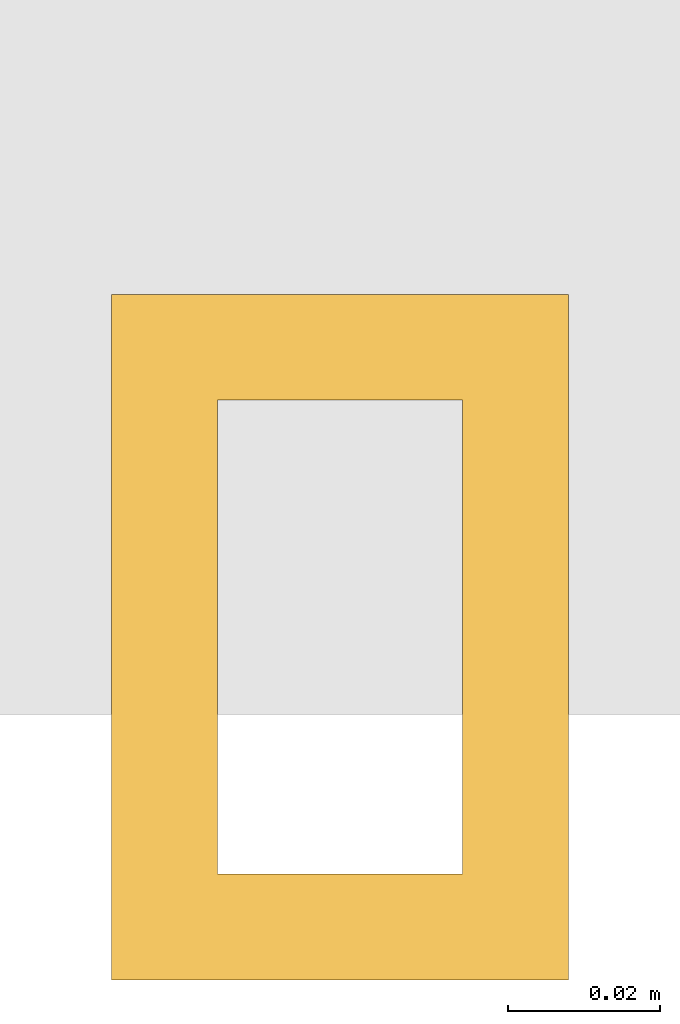
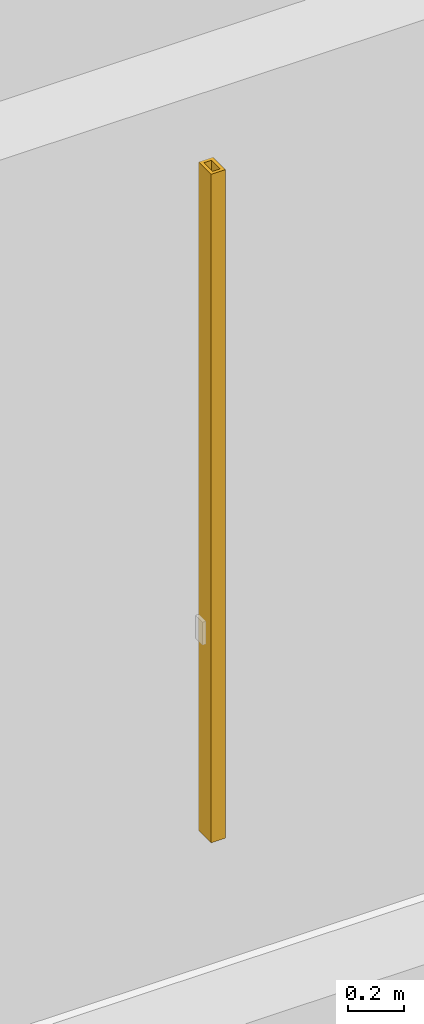
# One storey, part 18 of 32: 1 shading device.
"""IFC4 building model written with IfcOpenShell, lengths in metres."""

from ifc_helpers import new_model, si_unit, direction, frame, origin, origin_2d, place, context, subcontext, project, spatial, hollow_rectangle, extrude, material, material_profile, profile_set, type_object, element, save


model = new_model("IFC4")

# Units and contexts
model_context = context("Model", 3, precision=1e-05, world=origin(), true_north=direction((0.0, 1.0)))
body_context = subcontext(model_context, "Body", "Model", "MODEL_VIEW")
ifc_project = project(units=[si_unit("LENGTHUNIT", "METRE"), si_unit("AREAUNIT", "SQUARE_METRE"), si_unit("VOLUMEUNIT", "CUBIC_METRE"), si_unit("PLANEANGLEUNIT", "RADIAN"), si_unit("MASSUNIT", "GRAM", prefix="KILO")], contexts=[model_context])

# Site, building, storey
site_placement = place(None, origin())
site = spatial("IfcSite", under=ifc_project, at=site_placement, CompositionType="ELEMENT")
building_placement = place(site_placement, origin())
building = spatial("IfcBuilding", under=site, at=building_placement, Name="Punatoya Terracotta Tower", CompositionType="ELEMENT")
storey_placement = place(building_placement, frame((0.0, 0.0, 139.800048828125)))
storey = spatial("IfcBuildingStorey", under=building, at=storey_placement, Name="L32", CompositionType="ELEMENT", Elevation=139.800048828125)

# Shading device
ifc_material = material(Name="Architectural Fired Terracotta", Category="masonry")
ifc_material_profile = material_profile(ifc_material, hollow_rectangle(XDim=0.06005859375, YDim=0.090087890625, WallThickness=0.013916015625, at=origin_2d()))
ifc_profile_set = profile_set([ifc_material_profile], Name="Architectural Fired Terracotta")
shading_device_type = type_object("IfcShadingDeviceType", Name="SHD-JALI-90", PredefinedType="JALOUSIE", material=ifc_profile_set)
shading_device_placement = place(storey_placement, frame((-12.493408203125, -18.64990234375, 0.599853515625), z_axis=(0.0, 0.0, 1.0), x_axis=(1.0, 0.0, 0.0)))
element("IfcShadingDevice", 1, at=shading_device_placement, inside=storey, type_object=shading_device_type, Name="L32 Braced Bay Terracotta Jali Fin S1", PredefinedType="JALOUSIE", context=body_context, shape_type="SweptSolid", body=[
    extrude(hollow_rectangle(XDim=0.06005859375, YDim=0.090087890625, WallThickness=0.013916015625, at=origin_2d()), origin(), (0.0, 0.0, 1.0), 2.93017578125),
])

save(model, "model.ifc")
